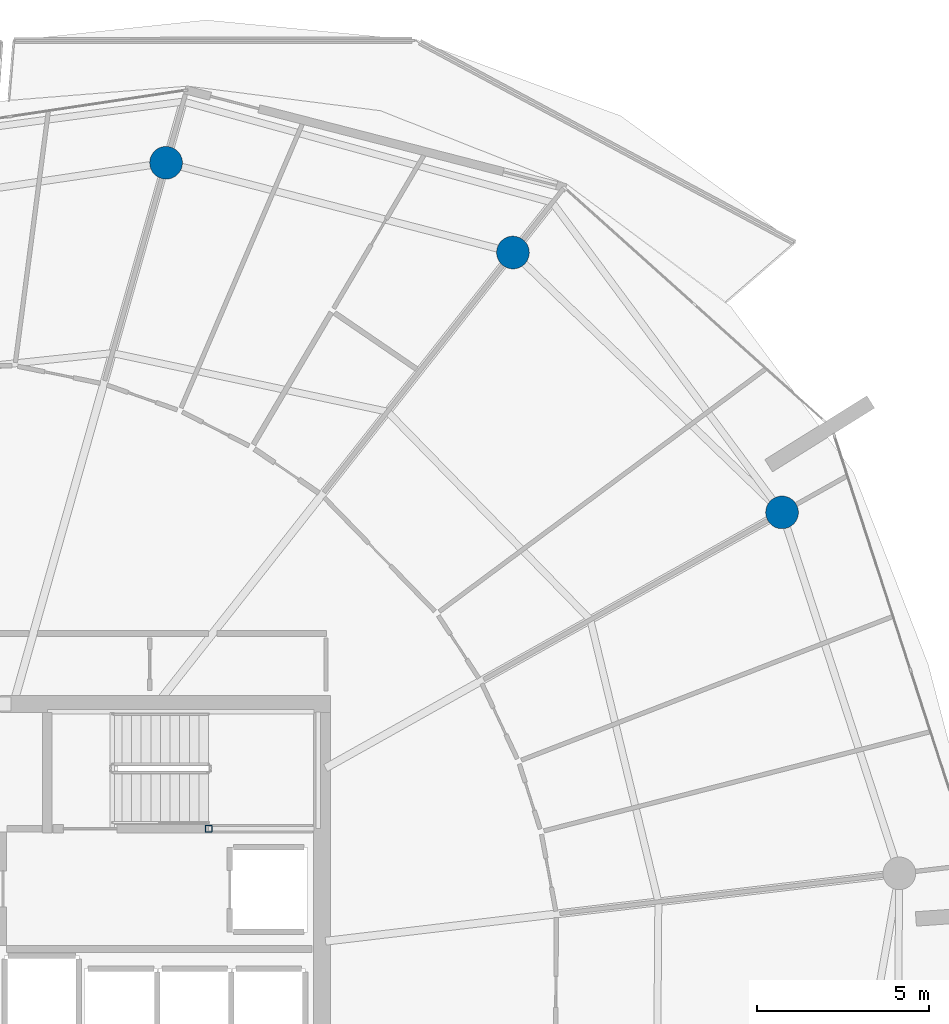
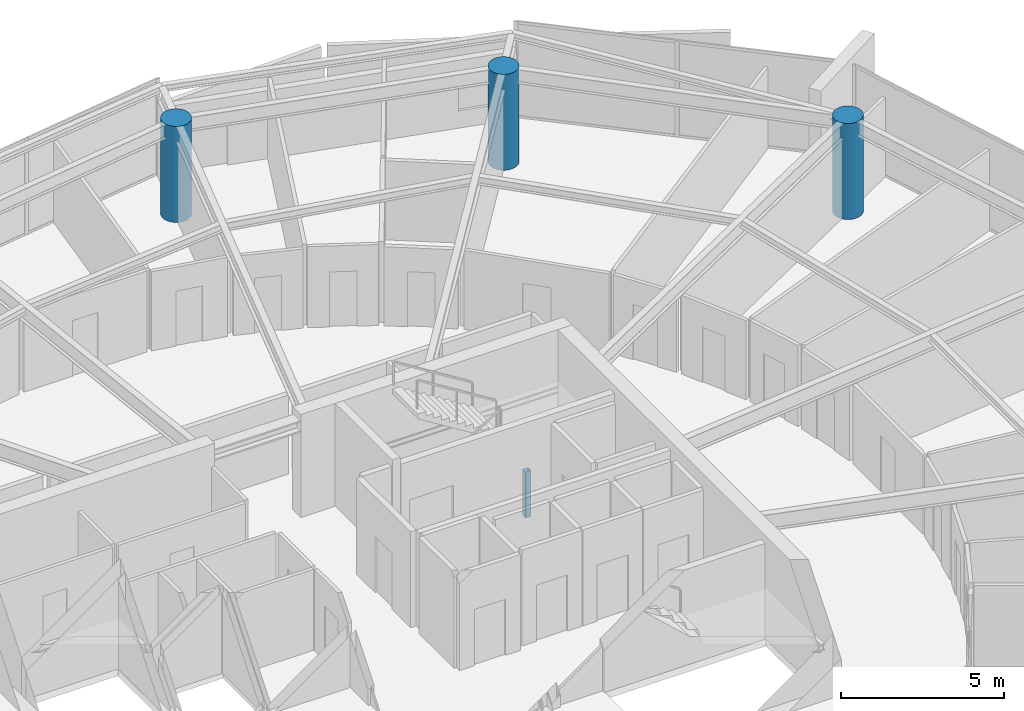
# One storey, part 5 of 30: 4 columns.
"""IFC4 building model written with IfcOpenShell, lengths in metres."""

import ifcopenshell
import ifcopenshell.guid

model = None  # the IFC model being written
_history = None  # IfcOwnerHistory: only IFC2X3 demands one
_inside = {}  # id of a spatial element -> (the spatial element, [elements in it])
_under = {}  # id of a project, library or spatial element -> (it, [spatial elements below it])
_declared = {}  # id of a project -> (the project, [libraries it declares])
_typed = {}  # id of a type object -> (the type object, [elements of that type])
_made_of = {}  # id of a material, layer set ... -> (it, [elements and type objects made of it])


def new_model(schema):
    """Start an empty IFC model of exactly this schema.

    Asked for "IFC4X3", IfcOpenShell would pick the latest addendum, in which some entities
    have other attributes; the version numbers below select the first issue.
    IFC2X3 requires an IfcOwnerHistory on every rooted entity: one is made here for all.
    """
    global model, _history
    if schema == "IFC4X3":
        model = ifcopenshell.file(schema_version=(4, 3, 0, 0))
    else:
        model = ifcopenshell.file(schema=schema)
    _inside.clear()
    _under.clear()
    _declared.clear()
    _typed.clear()
    _made_of.clear()
    _history = None
    if model.schema == "IFC2X3":
        org = make("IfcOrganization", Name="unknown")
        user = make(
            "IfcPersonAndOrganization",
            ThePerson=make("IfcPerson", FamilyName="unknown"),
            TheOrganization=org,
        )
        app = make(
            "IfcApplication",
            ApplicationDeveloper=org,
            Version="unknown",
            ApplicationFullName="unknown",
            ApplicationIdentifier="unknown",
        )
        _history = make(
            "IfcOwnerHistory",
            OwningUser=user,
            OwningApplication=app,
            ChangeAction="ADDED",
            CreationDate=0,
        )
    return model


def make(cls, **values):
    """One entity of the class cls with the attributes given. An attribute that is None is left unset."""
    return model.create_entity(
        cls, **{name: value for name, value in values.items() if value is not None}
    )


def rooted(cls, **values):
    """An entity with a GlobalId (a new one), such as an element, a storey or a relation."""
    return make(cls, GlobalId=ifcopenshell.guid.new(), OwnerHistory=_history, **values)


def si_unit(unit_type, name, prefix=None):
    """IfcSIUnit, for example si_unit("LENGTHUNIT", "METRE", prefix="MILLI")."""
    return make("IfcSIUnit", UnitType=unit_type, Prefix=prefix, Name=name)


def assignment(units):
    """IfcUnitAssignment: the units of a project."""
    return None if units is None else make("IfcUnitAssignment", Units=units)


def point(xyz):
    """IfcCartesianPoint."""
    return None if xyz is None else make("IfcCartesianPoint", Coordinates=xyz)


def direction(xyz):
    """IfcDirection."""
    return None if xyz is None else make("IfcDirection", DirectionRatios=xyz)


def frame(location, z_axis=None, x_axis=None):
    """IfcAxis2Placement3D, a coordinate frame: its origin and axes. An axis left out is left unset."""
    return make(
        "IfcAxis2Placement3D",
        Location=point(location),
        Axis=direction(z_axis),
        RefDirection=direction(x_axis),
    )


def frame_2d(location, x_axis=None):
    """IfcAxis2Placement2D, a coordinate frame in the plane: its origin and x axis."""
    return make(
        "IfcAxis2Placement2D", Location=point(location), RefDirection=direction(x_axis)
    )


def origin():
    """The frame at (0, 0, 0) with its axes left unset."""
    return frame((0.0, 0.0, 0.0))


def origin_2d():
    """The frame at (0, 0) in the plane with its x axis left unset."""
    return frame_2d((0.0, 0.0))


def place(relative_to, where):
    """IfcLocalPlacement: puts the frame where relative to a parent placement (None: the world)."""
    return make(
        "IfcLocalPlacement", PlacementRelTo=relative_to, RelativePlacement=where
    )


def context(
    kind, dimensions, precision=None, world=None, true_north=None, identifier=None
):
    """IfcGeometricRepresentationContext, for example the 3D "Model" context."""
    return make(
        "IfcGeometricRepresentationContext",
        ContextIdentifier=identifier,
        ContextType=kind,
        CoordinateSpaceDimension=dimensions,
        Precision=precision,
        WorldCoordinateSystem=world,
        TrueNorth=true_north,
    )


def subcontext(parent, identifier, kind, view, scale=None):
    """IfcGeometricRepresentationSubContext, for example "Body" below "Model"."""
    return make(
        "IfcGeometricRepresentationSubContext",
        ContextIdentifier=identifier,
        ContextType=kind,
        ParentContext=parent,
        TargetScale=scale,
        TargetView=view,
    )


def project(units=None, contexts=None):
    """IfcProject with its units and contexts."""
    return rooted(
        "IfcProject",
        Name="project",
        RepresentationContexts=contexts,
        UnitsInContext=assignment(units),
    )


def spatial(cls, under=None, at=None, **own):
    """A site, building, storey or space (cls), placed at a placement, below another one or the project."""
    s = rooted(cls, ObjectPlacement=at, **own)
    if under is not None:
        _under.setdefault(under.id(), (under, []))[1].append(s)
    return s


def profile(cls, at=None, kind="AREA", **sizes):
    """A parametric profile (cls). Its sizes go by their IFC names, for example OverallWidth=200.0."""
    return make(cls, ProfileType=kind, Position=at, **sizes)


def hollow_rectangle(**sizes):
    """IfcRectangleHollowProfileDef."""
    return profile("IfcRectangleHollowProfileDef", **sizes)


def circle(**sizes):
    """IfcCircleProfileDef."""
    return profile("IfcCircleProfileDef", **sizes)


def extrude(swept, where, along, depth):
    """IfcExtrudedAreaSolid: the profile swept, set in the frame where, extruded along a direction by depth."""
    return make(
        "IfcExtrudedAreaSolid",
        SweptArea=swept,
        Position=where,
        ExtrudedDirection=direction(along),
        Depth=depth,
    )


def shape(context_of_items, identifier, shape_type, items):
    """IfcShapeRepresentation: the items that make up one representation, for example the "Body"."""
    return make(
        "IfcShapeRepresentation",
        ContextOfItems=context_of_items,
        RepresentationIdentifier=identifier,
        RepresentationType=shape_type,
        Items=items,
    )


def material(Name=None, Category=None):
    """IfcMaterial."""
    return make("IfcMaterial", Name=Name, Category=Category)


def material_profile(
    of_material, cross_section, Name=None, Category=None, Priority=None
):
    """IfcMaterialProfile: a cross section and its material."""
    return make(
        "IfcMaterialProfile",
        Name=Name,
        Material=of_material,
        Profile=cross_section,
        Priority=Priority,
        Category=Category,
    )


def profile_set(profiles, Name=None, composite=None):
    """IfcMaterialProfileSet."""
    return make(
        "IfcMaterialProfileSet",
        Name=Name,
        MaterialProfiles=profiles,
        CompositeProfile=composite,
    )


def made_of(thing, what):
    """Note that an element or type object is made of a material, layer set ...; save() writes the relation."""
    if what is not None:
        _made_of.setdefault(what.id(), (what, []))[1].append(thing)
    return thing


def type_object(cls, material=None, **own):
    """A type object (cls), such as IfcWallType, which elements share."""
    return made_of(rooted(cls, **own), material)


def element(
    cls,
    number,
    at=None,
    inside=None,
    cuts=None,
    type_object=None,
    material=None,
    context=None,
    identifier="Body",
    shape_type=None,
    held_by="IfcProductDefinitionShape",
    body=None,
    shapes=None,
    **own,
):
    """One element of the class cls, such as IfcWall. Its Tag is "e" and its number.

    at: its placement. inside: the storey or other place that contains it. cuts: it is an
    opening in that element (IfcRelVoidsElement). A single representation is given by context,
    identifier, shape_type and body (its items); several are given by shapes. held_by: the class
    of the entity that holds the representations. save() writes the other relations.
    """
    e = rooted(cls, Tag="e%d" % number, ObjectPlacement=at, **own)
    if body is not None:
        shapes = [shape(context, identifier, shape_type, body)]
    if shapes is not None:
        e.Representation = make(held_by, Representations=shapes)
    if inside is not None:
        _inside.setdefault(inside.id(), (inside, []))[1].append(e)
    if cuts is not None:
        rooted(
            "IfcRelVoidsElement", RelatingBuildingElement=cuts, RelatedOpeningElement=e
        )
    if type_object is not None:
        _typed.setdefault(type_object.id(), (type_object, []))[1].append(e)
    return made_of(e, material)


def aggregate(whole, parts):
    """IfcRelAggregates: a whole, such as a stair, and the parts it consists of."""
    return rooted("IfcRelAggregates", RelatingObject=whole, RelatedObjects=parts)


def save(model, path):
    """Write the relations noted so far, then the file.

    IfcRelAggregates (storeys below a building ...), IfcRelContainedInSpatialStructure (elements
    in a storey), IfcRelDefinesByType, IfcRelAssociatesMaterial and IfcRelDeclares: one each for
    every whole, place, type object, material and project.
    """
    for whole, parts in _under.values():
        aggregate(whole, parts)
    for where, things in _inside.values():
        rooted(
            "IfcRelContainedInSpatialStructure",
            RelatedElements=things,
            RelatingStructure=where,
        )
    for kind, things in _typed.values():
        rooted("IfcRelDefinesByType", RelatedObjects=things, RelatingType=kind)
    for what, things in _made_of.values():
        rooted("IfcRelAssociatesMaterial", RelatedObjects=things, RelatingMaterial=what)
    for by, libraries in _declared.values():
        rooted("IfcRelDeclares", RelatingContext=by, RelatedDefinitions=libraries)
    model.write(path)


model = new_model("IFC4")

# Units and contexts
model_context = context("Model", 3, precision=1e-05, world=origin(), true_north=direction((0.0, 1.0)))
body_context = subcontext(model_context, "Body", "Model", "MODEL_VIEW")
ifc_project = project(units=[si_unit("LENGTHUNIT", "METRE"), si_unit("AREAUNIT", "SQUARE_METRE"), si_unit("VOLUMEUNIT", "CUBIC_METRE"), si_unit("PLANEANGLEUNIT", "RADIAN"), si_unit("MASSUNIT", "GRAM", prefix="KILO")], contexts=[model_context])

# Site, building, storey
site_placement = place(None, origin())
site = spatial("IfcSite", under=ifc_project, at=site_placement, CompositionType="ELEMENT")
building_placement = place(site_placement, origin())
building = spatial("IfcBuilding", under=site, at=building_placement, Name="Kazma Halo Residences", CompositionType="ELEMENT")
storey_placement = place(building_placement, frame((0.0, 0.0, 294.449951171875)))
storey = spatial("IfcBuildingStorey", under=building, at=storey_placement, Name="L74", CompositionType="ELEMENT", Elevation=294.449951171875)

# Columns
ifc_material_1 = material(Name="Steel S355", Category="steel")
ifc_material_profile_1 = material_profile(ifc_material_1, hollow_rectangle(XDim=0.199951171875, YDim=0.199951171875, WallThickness=0.010009765625, InnerFilletRadius=0.010009765625, OuterFilletRadius=0.02001953125, at=origin_2d()), Name="SHS200x200x10")
ifc_profile_set_1 = profile_set([ifc_material_profile_1], Name="Steel S355")
column_type_1 = type_object("IfcColumnType", Name="COL-LP-SHS200", PredefinedType="COLUMN", material=ifc_profile_set_1)
column_placement = place(storey_placement, frame((56.0, 46.6201171875, 0.0), z_axis=(0.0, 0.0, 1.0), x_axis=(1.0, 0.0, 0.0)))
element("IfcColumn", 1, at=column_placement, inside=storey, type_object=column_type_1, Name="L74 ST-02 landing pilaster 1", PredefinedType="COLUMN", context=body_context, shape_type="SweptSolid", body=[
    extrude(hollow_rectangle(XDim=0.199951171875, YDim=0.199951171875, WallThickness=0.010009765625, InnerFilletRadius=0.010009765625, OuterFilletRadius=0.02001953125, at=origin_2d()), origin(), (0.0, 0.0, 1.0), 1.719970703125),
])
ifc_material_2 = material(Name="Concrete C60/75", Category="concrete")
ifc_material_profile_2 = material_profile(ifc_material_2, circle(Radius=0.47509765625, at=origin_2d()), Name="CIRC950")
ifc_profile_set_2 = profile_set([ifc_material_profile_2], Name="Concrete C60/75")
column_type_2 = type_object("IfcColumnType", Name="COL-PERIM-950", PredefinedType="COLUMN", material=ifc_profile_set_2)
for number, where, z_axis, x_axis, name in (
    (2, (72.67041015625, 55.81591796875, 0.0), (0.0, 0.0, 1.0), (1.0, 0.0, 0.0), "L74 perimeter ring column P01"),
    (3, (64.84716796875, 63.37060546875, 0.0), (0.0, 0.0, 1.0), (1.0, 0.0, 0.0), "L74 perimeter ring column P02"),
    (4, (54.762939453125, 65.9794921875, 0.0), (0.0, 0.0, 1.0), (1.0, 0.0, 0.0), "L74 perimeter ring column P03"),
):
    element("IfcColumn", number, at=place(storey_placement, frame(where, z_axis=z_axis, x_axis=x_axis)), inside=storey, type_object=column_type_2, Name=name, PredefinedType="COLUMN", context=body_context, shape_type="SweptSolid", body=[
        extrude(circle(Radius=0.47509765625, at=origin_2d()), origin(), (0.0, 0.0, 1.0), 3.590087890625),
    ])

save(model, "model.ifc")
